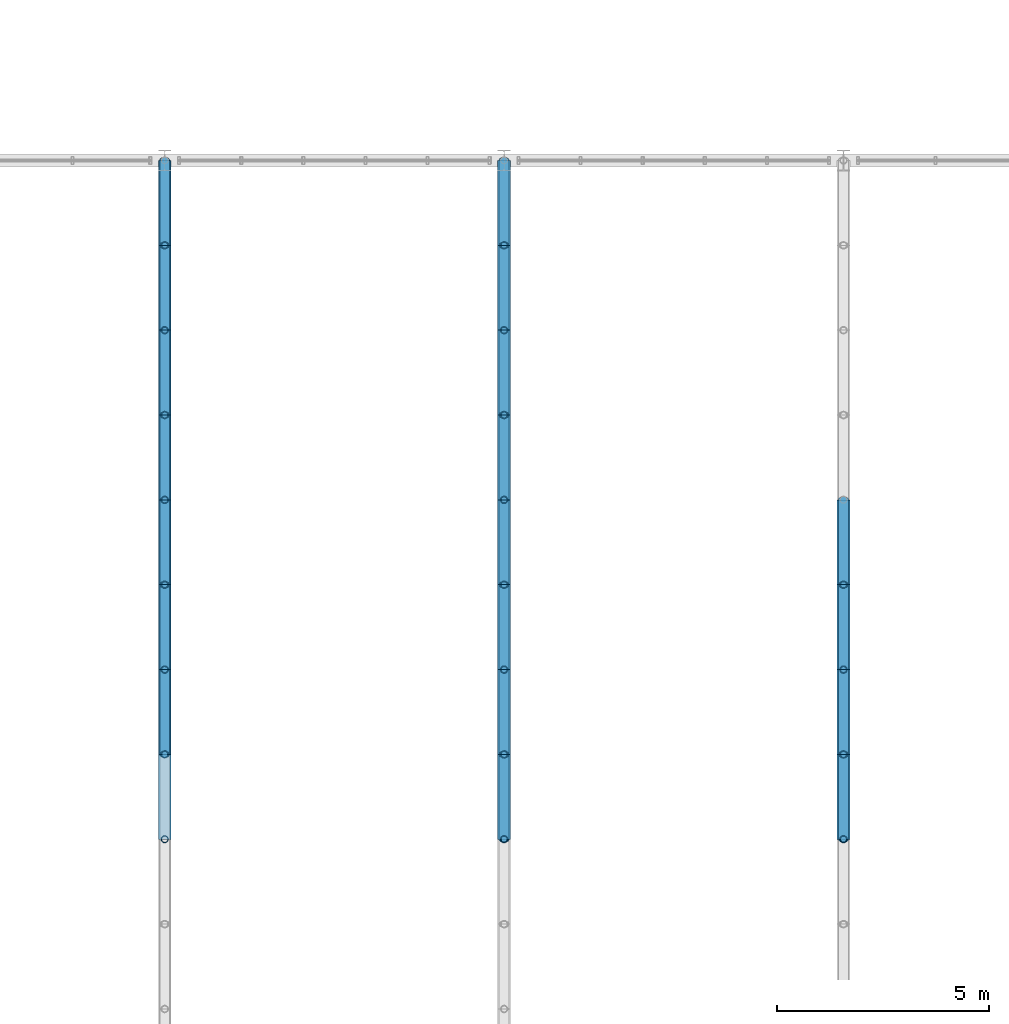
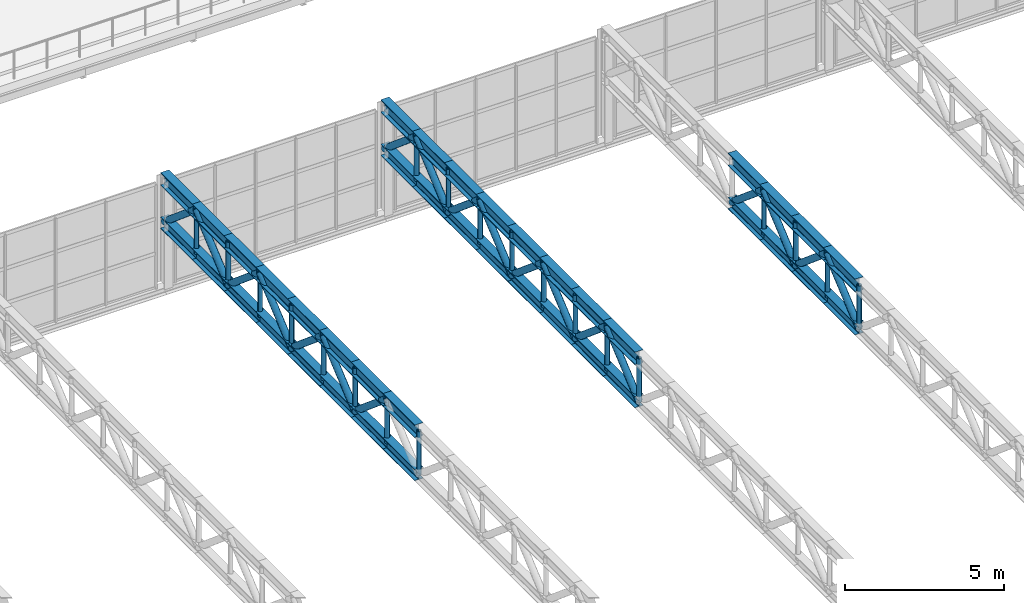
# One storey, part 34 of 67: 79 members.
"""IFC4 building model written with IfcOpenShell, lengths in metres."""

from ifc_helpers import new_model, si_unit, derived_unit, direction, frame, origin, origin_2d, place, context, subcontext, project, spatial, hollow_circle, i_section, extrude, material, material_profile, profile_set, type_object, element, save


model = new_model("IFC4")

# Units and contexts
model_context = context("Model", 3, precision=1e-05, world=origin(), true_north=direction((0.0, 1.0)))
body_context = subcontext(model_context, "Body", "Model", "MODEL_VIEW")
ifc_project = project(units=[si_unit("LENGTHUNIT", "METRE"), si_unit("AREAUNIT", "SQUARE_METRE"), si_unit("VOLUMEUNIT", "CUBIC_METRE"), si_unit("PLANEANGLEUNIT", "RADIAN"), si_unit("MASSUNIT", "GRAM", prefix="KILO"), derived_unit("THERMALTRANSMITTANCEUNIT", [(si_unit("POWERUNIT", "WATT"), 1), (si_unit("LENGTHUNIT", "METRE"), -2), (si_unit("THERMODYNAMICTEMPERATUREUNIT", "KELVIN"), -1)])], contexts=[model_context])

# Site, building, storey
site_placement = place(None, origin())
site = spatial("IfcSite", under=ifc_project, at=site_placement, CompositionType="ELEMENT")
building_placement = place(site_placement, origin())
building = spatial("IfcBuilding", under=site, at=building_placement, Name="Keldorne Ridge Multi-Sports Centre", CompositionType="ELEMENT")
storey_placement = place(building_placement, frame((0.0, 0.0, 14.0)))
storey = spatial("IfcBuildingStorey", under=building, at=storey_placement, Name="L03", CompositionType="ELEMENT", Elevation=14.0)

# Members
ifc_material = material(Name="Steel S355", Category="steel")
ifc_material_profile_1 = material_profile(ifc_material, i_section(OverallWidth=0.300048828125, OverallDepth=0.5, WebThickness=0.014404296875, FlangeThickness=0.028076171875, FilletRadius=0.027099609375, at=origin_2d()), Name="HEB 500")
ifc_profile_set_1 = profile_set([ifc_material_profile_1], Name="Steel S355")
member_type_1 = type_object("IfcMemberType", Name="MEM-TC-03", PredefinedType="CHORD", material=ifc_profile_set_1)
for number, where, z_axis, x_axis, name in (
    (1, (136.0, 38.0, 4.110107421875), (0.0, 1.0, 0.0), (-1.0, 0.0, 0.0), "Stacked Courts Warren TRUSS WT-L04-05 top chord 17"),
    (2, (136.0, 40.0, 4.110107421875), (0.0, 1.0, 0.0), (-1.0, 0.0, 0.0), "Stacked Courts Warren TRUSS WT-L04-05 top chord 18"),
    (3, (136.0, 42.0, 4.110107421875), (0.0, 1.0, 0.0), (-1.0, 0.0, 0.0), "Stacked Courts Warren TRUSS WT-L04-05 top chord 19"),
    (4, (136.0, 44.0, 4.110107421875), (0.0, 1.0, 0.0), (-1.0, 0.0, 0.0), "Stacked Courts Warren TRUSS WT-L04-05 top chord 20"),
    (5, (136.0, 46.0, 4.110107421875), (0.0, 1.0, 0.0), (-1.0, 0.0, 0.0), "Stacked Courts Warren TRUSS WT-L04-05 top chord 21"),
    (6, (136.0, 48.0, 4.110107421875), (0.0, 1.0, 0.0), (-1.0, 0.0, 0.0), "Stacked Courts Warren TRUSS WT-L04-05 top chord 22"),
    (7, (136.0, 50.0, 4.110107421875), (0.0, 1.0, 0.0), (-1.0, 0.0, 0.0), "Stacked Courts Warren TRUSS WT-L04-05 top chord 23"),
    (8, (136.0, 52.0, 4.110107421875), (0.0, 1.0, 0.0), (-1.0, 0.0, 0.0), "Stacked Courts Warren TRUSS WT-L04-05 top chord 24"),
    (9, (144.0, 38.0, 4.110107421875), (0.0, 1.0, 0.0), (-1.0, 0.0, 0.0), "Stacked Courts Warren TRUSS WT-L04-06 top chord 17"),
    (10, (144.0, 40.0, 4.110107421875), (0.0, 1.0, 0.0), (-1.0, 0.0, 0.0), "Stacked Courts Warren TRUSS WT-L04-06 top chord 18"),
    (11, (144.0, 42.0, 4.110107421875), (0.0, 1.0, 0.0), (-1.0, 0.0, 0.0), "Stacked Courts Warren TRUSS WT-L04-06 top chord 19"),
    (12, (144.0, 44.0, 4.110107421875), (0.0, 1.0, 0.0), (-1.0, 0.0, 0.0), "Stacked Courts Warren TRUSS WT-L04-06 top chord 20"),
    (13, (144.0, 46.0, 4.110107421875), (0.0, 1.0, 0.0), (-1.0, 0.0, 0.0), "Stacked Courts Warren TRUSS WT-L04-06 top chord 21"),
    (14, (144.0, 48.0, 4.110107421875), (0.0, 1.0, 0.0), (-1.0, 0.0, 0.0), "Stacked Courts Warren TRUSS WT-L04-06 top chord 22"),
    (15, (144.0, 50.0, 4.110107421875), (0.0, 1.0, 0.0), (-1.0, 0.0, 0.0), "Stacked Courts Warren TRUSS WT-L04-06 top chord 23"),
    (16, (144.0, 52.0, 4.110107421875), (0.0, 1.0, 0.0), (-1.0, 0.0, 0.0), "Stacked Courts Warren TRUSS WT-L04-06 top chord 24"),
    (17, (152.0, 38.0, 4.110107421875), (0.0, 1.0, 0.0), (-1.0, 0.0, 0.0), "Stacked Courts Warren TRUSS WT-L04-07 top chord 17"),
    (18, (152.0, 40.0, 4.110107421875), (0.0, 1.0, 0.0), (-1.0, 0.0, 0.0), "Stacked Courts Warren TRUSS WT-L04-07 top chord 18"),
    (19, (152.0, 42.0, 4.110107421875), (0.0, 1.0, 0.0), (-1.0, 0.0, 0.0), "Stacked Courts Warren TRUSS WT-L04-07 top chord 19"),
    (20, (152.0, 44.0, 4.110107421875), (0.0, 1.0, 0.0), (-1.0, 0.0, 0.0), "Stacked Courts Warren TRUSS WT-L04-07 top chord 20"),
):
    element("IfcMember", number, at=place(storey_placement, frame(where, z_axis=z_axis, x_axis=x_axis)), inside=storey, type_object=member_type_1, Name=name, PredefinedType="CHORD", context=body_context, shape_type="SweptSolid", body=[
        extrude(i_section(OverallWidth=0.300048828125, OverallDepth=0.5, WebThickness=0.014404296875, FlangeThickness=0.028076171875, FilletRadius=0.027099609375, at=origin_2d()), origin(), (0.0, 0.0, 1.0), 2.0),
    ])
ifc_material_profile_2 = material_profile(ifc_material, i_section(OverallWidth=0.300048828125, OverallDepth=0.449951171875, WebThickness=0.013916015625, FlangeThickness=0.02587890625, FilletRadius=0.027099609375, at=origin_2d()), Name="HEB 450")
ifc_profile_set_2 = profile_set([ifc_material_profile_2], Name="Steel S355")
member_type_2 = type_object("IfcMemberType", Name="MEM-TC-04", PredefinedType="CHORD", material=ifc_profile_set_2)
for number, where, z_axis, x_axis, name in (
    (21, (136.0, 38.0, 2.429931640625), (0.0, 1.0, 0.0), (-1.0, 0.0, 0.0), "Stacked Courts Warren TRUSS WT-L04-05 bottom chord 17"),
    (22, (136.0, 40.0, 2.429931640625), (0.0, 1.0, 0.0), (-1.0, 0.0, 0.0), "Stacked Courts Warren TRUSS WT-L04-05 bottom chord 18"),
    (23, (136.0, 42.0, 2.429931640625), (0.0, 1.0, 0.0), (-1.0, 0.0, 0.0), "Stacked Courts Warren TRUSS WT-L04-05 bottom chord 19"),
    (24, (136.0, 44.0, 2.429931640625), (0.0, 1.0, 0.0), (-1.0, 0.0, 0.0), "Stacked Courts Warren TRUSS WT-L04-05 bottom chord 20"),
    (25, (136.0, 46.0, 2.429931640625), (0.0, 1.0, 0.0), (-1.0, 0.0, 0.0), "Stacked Courts Warren TRUSS WT-L04-05 bottom chord 21"),
    (26, (136.0, 48.0, 2.429931640625), (0.0, 1.0, 0.0), (-1.0, 0.0, 0.0), "Stacked Courts Warren TRUSS WT-L04-05 bottom chord 22"),
    (27, (136.0, 50.0, 2.429931640625), (0.0, 1.0, 0.0), (-1.0, 0.0, 0.0), "Stacked Courts Warren TRUSS WT-L04-05 bottom chord 23"),
    (28, (136.0, 52.0, 2.429931640625), (0.0, 1.0, 0.0), (-1.0, 0.0, 0.0), "Stacked Courts Warren TRUSS WT-L04-05 bottom chord 24"),
    (29, (144.0, 38.0, 2.429931640625), (0.0, 1.0, 0.0), (-1.0, 0.0, 0.0), "Stacked Courts Warren TRUSS WT-L04-06 bottom chord 17"),
    (30, (144.0, 40.0, 2.429931640625), (0.0, 1.0, 0.0), (-1.0, 0.0, 0.0), "Stacked Courts Warren TRUSS WT-L04-06 bottom chord 18"),
    (31, (144.0, 42.0, 2.429931640625), (0.0, 1.0, 0.0), (-1.0, 0.0, 0.0), "Stacked Courts Warren TRUSS WT-L04-06 bottom chord 19"),
    (32, (144.0, 44.0, 2.429931640625), (0.0, 1.0, 0.0), (-1.0, 0.0, 0.0), "Stacked Courts Warren TRUSS WT-L04-06 bottom chord 20"),
    (33, (144.0, 46.0, 2.429931640625), (0.0, 1.0, 0.0), (-1.0, 0.0, 0.0), "Stacked Courts Warren TRUSS WT-L04-06 bottom chord 21"),
    (34, (144.0, 48.0, 2.429931640625), (0.0, 1.0, 0.0), (-1.0, 0.0, 0.0), "Stacked Courts Warren TRUSS WT-L04-06 bottom chord 22"),
    (35, (144.0, 50.0, 2.429931640625), (0.0, 1.0, 0.0), (-1.0, 0.0, 0.0), "Stacked Courts Warren TRUSS WT-L04-06 bottom chord 23"),
    (36, (144.0, 52.0, 2.429931640625), (0.0, 1.0, 0.0), (-1.0, 0.0, 0.0), "Stacked Courts Warren TRUSS WT-L04-06 bottom chord 24"),
    (37, (152.0, 38.0, 2.429931640625), (0.0, 1.0, 0.0), (-1.0, 0.0, 0.0), "Stacked Courts Warren TRUSS WT-L04-07 bottom chord 17"),
    (38, (152.0, 40.0, 2.429931640625), (0.0, 1.0, 0.0), (-1.0, 0.0, 0.0), "Stacked Courts Warren TRUSS WT-L04-07 bottom chord 18"),
    (39, (152.0, 42.0, 2.429931640625), (0.0, 1.0, 0.0), (-1.0, 0.0, 0.0), "Stacked Courts Warren TRUSS WT-L04-07 bottom chord 19"),
    (40, (152.0, 44.0, 2.429931640625), (0.0, 1.0, 0.0), (-1.0, 0.0, 0.0), "Stacked Courts Warren TRUSS WT-L04-07 bottom chord 20"),
):
    element("IfcMember", number, at=place(storey_placement, frame(where, z_axis=z_axis, x_axis=x_axis)), inside=storey, type_object=member_type_2, Name=name, PredefinedType="CHORD", context=body_context, shape_type="SweptSolid", body=[
        extrude(i_section(OverallWidth=0.300048828125, OverallDepth=0.449951171875, WebThickness=0.013916015625, FlangeThickness=0.02587890625, FilletRadius=0.027099609375, at=origin_2d()), origin(), (0.0, 0.0, 1.0), 2.0),
    ])
ifc_material_profile_3 = material_profile(ifc_material, hollow_circle(Radius=0.122314453125, WallThickness=0.012451171875, at=origin_2d()), Name="CHS 244.5x12.5")
ifc_profile_set_3 = profile_set([ifc_material_profile_3], Name="Steel S355")
member_type_3 = type_object("IfcMemberType", Name="MEM-TD-02", PredefinedType="BRACE", material=ifc_profile_set_3)
for number, where, z_axis, x_axis, name in (
    (41, (136.0, 40.0, 4.110107421875), (0.0, 0.765671721121, -0.643231541108), (-1.0, 0.0, 0.0), "Stacked Courts Warren TRUSS WT-L04-05 diagonal 18"),
    (42, (136.0, 42.0, 2.429931640625), (0.0, 0.765671721121, 0.643231541108), (-1.0, 0.0, 0.0), "Stacked Courts Warren TRUSS WT-L04-05 diagonal 19"),
    (43, (136.0, 44.0, 4.110107421875), (0.0, 0.765671721121, -0.643231541108), (-1.0, 0.0, 0.0), "Stacked Courts Warren TRUSS WT-L04-05 diagonal 20"),
    (44, (136.0, 46.0, 2.429931640625), (0.0, 0.765671721121, 0.643231541108), (-1.0, 0.0, 0.0), "Stacked Courts Warren TRUSS WT-L04-05 diagonal 21"),
    (45, (136.0, 48.0, 4.110107421875), (0.0, 0.765671721121, -0.643231541108), (-1.0, 0.0, 0.0), "Stacked Courts Warren TRUSS WT-L04-05 diagonal 22"),
    (46, (136.0, 50.0, 2.429931640625), (0.0, 0.765671721121, 0.643231541108), (-1.0, 0.0, 0.0), "Stacked Courts Warren TRUSS WT-L04-05 diagonal 23"),
    (47, (136.0, 52.0, 4.110107421875), (0.0, 0.765671721121, -0.643231541108), (-1.0, 0.0, 0.0), "Stacked Courts Warren TRUSS WT-L04-05 diagonal 24"),
    (48, (144.0, 38.0, 2.429931640625), (0.0, 0.765671721121, 0.643231541108), (-1.0, 0.0, 0.0), "Stacked Courts Warren TRUSS WT-L04-06 diagonal 17"),
    (49, (144.0, 40.0, 4.110107421875), (0.0, 0.765671721121, -0.643231541108), (-1.0, 0.0, 0.0), "Stacked Courts Warren TRUSS WT-L04-06 diagonal 18"),
    (50, (144.0, 42.0, 2.429931640625), (0.0, 0.765671721121, 0.643231541108), (-1.0, 0.0, 0.0), "Stacked Courts Warren TRUSS WT-L04-06 diagonal 19"),
    (51, (144.0, 44.0, 4.110107421875), (0.0, 0.765671721121, -0.643231541108), (-1.0, 0.0, 0.0), "Stacked Courts Warren TRUSS WT-L04-06 diagonal 20"),
    (52, (144.0, 46.0, 2.429931640625), (0.0, 0.765671721121, 0.643231541108), (-1.0, 0.0, 0.0), "Stacked Courts Warren TRUSS WT-L04-06 diagonal 21"),
    (53, (144.0, 48.0, 4.110107421875), (0.0, 0.765671721121, -0.643231541108), (-1.0, 0.0, 0.0), "Stacked Courts Warren TRUSS WT-L04-06 diagonal 22"),
    (54, (144.0, 50.0, 2.429931640625), (0.0, 0.765671721121, 0.643231541108), (-1.0, 0.0, 0.0), "Stacked Courts Warren TRUSS WT-L04-06 diagonal 23"),
    (55, (144.0, 52.0, 4.110107421875), (0.0, 0.765671721121, -0.643231541108), (-1.0, 0.0, 0.0), "Stacked Courts Warren TRUSS WT-L04-06 diagonal 24"),
    (56, (152.0, 38.0, 2.429931640625), (0.0, 0.765671721121, 0.643231541108), (-1.0, 0.0, 0.0), "Stacked Courts Warren TRUSS WT-L04-07 diagonal 17"),
    (57, (152.0, 40.0, 4.110107421875), (0.0, 0.765671721121, -0.643231541108), (-1.0, 0.0, 0.0), "Stacked Courts Warren TRUSS WT-L04-07 diagonal 18"),
    (58, (152.0, 42.0, 2.429931640625), (0.0, 0.765671721121, 0.643231541108), (-1.0, 0.0, 0.0), "Stacked Courts Warren TRUSS WT-L04-07 diagonal 19"),
    (59, (152.0, 44.0, 4.110107421875), (0.0, 0.765671721121, -0.643231541108), (-1.0, 0.0, 0.0), "Stacked Courts Warren TRUSS WT-L04-07 diagonal 20"),
):
    element("IfcMember", number, at=place(storey_placement, frame(where, z_axis=z_axis, x_axis=x_axis)), inside=storey, type_object=member_type_3, Name=name, PredefinedType="BRACE", context=body_context, shape_type="SweptSolid", body=[
        extrude(hollow_circle(Radius=0.122314453125, WallThickness=0.012451171875, at=origin_2d()), origin(), (0.0, 0.0, 1.0), 2.612060546875),
    ])
ifc_material_profile_4 = material_profile(ifc_material, hollow_circle(Radius=0.084228515625, WallThickness=0.010009765625, at=origin_2d()), Name="CHS 168.3x10")
ifc_profile_set_4 = profile_set([ifc_material_profile_4], Name="Steel S355")
member_type_4 = type_object("IfcMemberType", Name="MEM-TV-01", PredefinedType="STRUT", material=ifc_profile_set_4)
for number, where, z_axis, x_axis, name in (
    (60, (136.0, 38.0, 2.429931640625), (0.0, 0.0, 1.0), (1.0, 0.0, 0.0), "Stacked Courts Warren TRUSS WT-L04-05 post 17"),
    (61, (136.0, 40.0, 2.429931640625), (0.0, 0.0, 1.0), (1.0, 0.0, 0.0), "Stacked Courts Warren TRUSS WT-L04-05 post 18"),
    (62, (136.0, 42.0, 2.429931640625), (0.0, 0.0, 1.0), (1.0, 0.0, 0.0), "Stacked Courts Warren TRUSS WT-L04-05 post 19"),
    (63, (136.0, 44.0, 2.429931640625), (0.0, 0.0, 1.0), (1.0, 0.0, 0.0), "Stacked Courts Warren TRUSS WT-L04-05 post 20"),
    (64, (136.0, 46.0, 2.429931640625), (0.0, 0.0, 1.0), (1.0, 0.0, 0.0), "Stacked Courts Warren TRUSS WT-L04-05 post 21"),
    (65, (136.0, 48.0, 2.429931640625), (0.0, 0.0, 1.0), (1.0, 0.0, 0.0), "Stacked Courts Warren TRUSS WT-L04-05 post 22"),
    (66, (136.0, 50.0, 2.429931640625), (0.0, 0.0, 1.0), (1.0, 0.0, 0.0), "Stacked Courts Warren TRUSS WT-L04-05 post 23"),
    (67, (136.0, 52.0, 2.429931640625), (0.0, 0.0, 1.0), (1.0, 0.0, 0.0), "Stacked Courts Warren TRUSS WT-L04-05 post 24"),
    (68, (144.0, 38.0, 2.429931640625), (0.0, 0.0, 1.0), (1.0, 0.0, 0.0), "Stacked Courts Warren TRUSS WT-L04-06 post 17"),
    (69, (144.0, 40.0, 2.429931640625), (0.0, 0.0, 1.0), (1.0, 0.0, 0.0), "Stacked Courts Warren TRUSS WT-L04-06 post 18"),
    (70, (144.0, 42.0, 2.429931640625), (0.0, 0.0, 1.0), (1.0, 0.0, 0.0), "Stacked Courts Warren TRUSS WT-L04-06 post 19"),
    (71, (144.0, 44.0, 2.429931640625), (0.0, 0.0, 1.0), (1.0, 0.0, 0.0), "Stacked Courts Warren TRUSS WT-L04-06 post 20"),
    (72, (144.0, 46.0, 2.429931640625), (0.0, 0.0, 1.0), (1.0, 0.0, 0.0), "Stacked Courts Warren TRUSS WT-L04-06 post 21"),
    (73, (144.0, 48.0, 2.429931640625), (0.0, 0.0, 1.0), (1.0, 0.0, 0.0), "Stacked Courts Warren TRUSS WT-L04-06 post 22"),
    (74, (144.0, 50.0, 2.429931640625), (0.0, 0.0, 1.0), (1.0, 0.0, 0.0), "Stacked Courts Warren TRUSS WT-L04-06 post 23"),
    (75, (144.0, 52.0, 2.429931640625), (0.0, 0.0, 1.0), (1.0, 0.0, 0.0), "Stacked Courts Warren TRUSS WT-L04-06 post 24"),
    (76, (152.0, 38.0, 2.429931640625), (0.0, 0.0, 1.0), (1.0, 0.0, 0.0), "Stacked Courts Warren TRUSS WT-L04-07 post 17"),
    (77, (152.0, 40.0, 2.429931640625), (0.0, 0.0, 1.0), (1.0, 0.0, 0.0), "Stacked Courts Warren TRUSS WT-L04-07 post 18"),
    (78, (152.0, 42.0, 2.429931640625), (0.0, 0.0, 1.0), (1.0, 0.0, 0.0), "Stacked Courts Warren TRUSS WT-L04-07 post 19"),
    (79, (152.0, 44.0, 2.429931640625), (0.0, 0.0, 1.0), (1.0, 0.0, 0.0), "Stacked Courts Warren TRUSS WT-L04-07 post 20"),
):
    element("IfcMember", number, at=place(storey_placement, frame(where, z_axis=z_axis, x_axis=x_axis)), inside=storey, type_object=member_type_4, Name=name, PredefinedType="STRUT", context=body_context, shape_type="SweptSolid", body=[
        extrude(hollow_circle(Radius=0.084228515625, WallThickness=0.010009765625, at=origin_2d()), origin(), (0.0, 0.0, 1.0), 1.68017578125),
    ])

save(model, "model.ifc")
